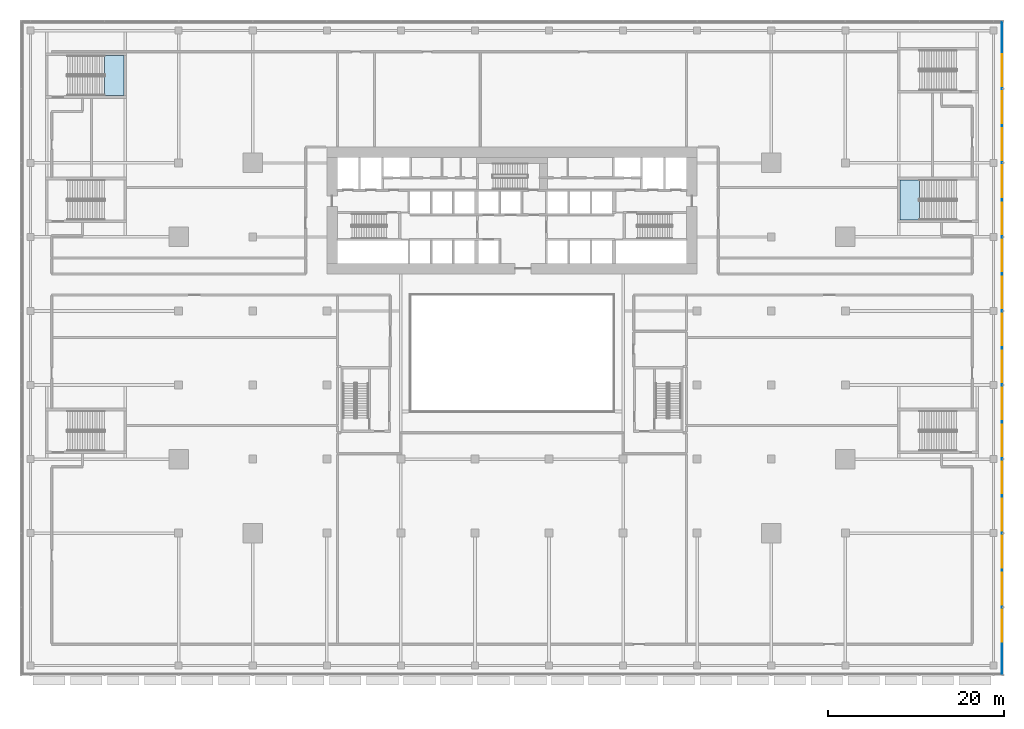
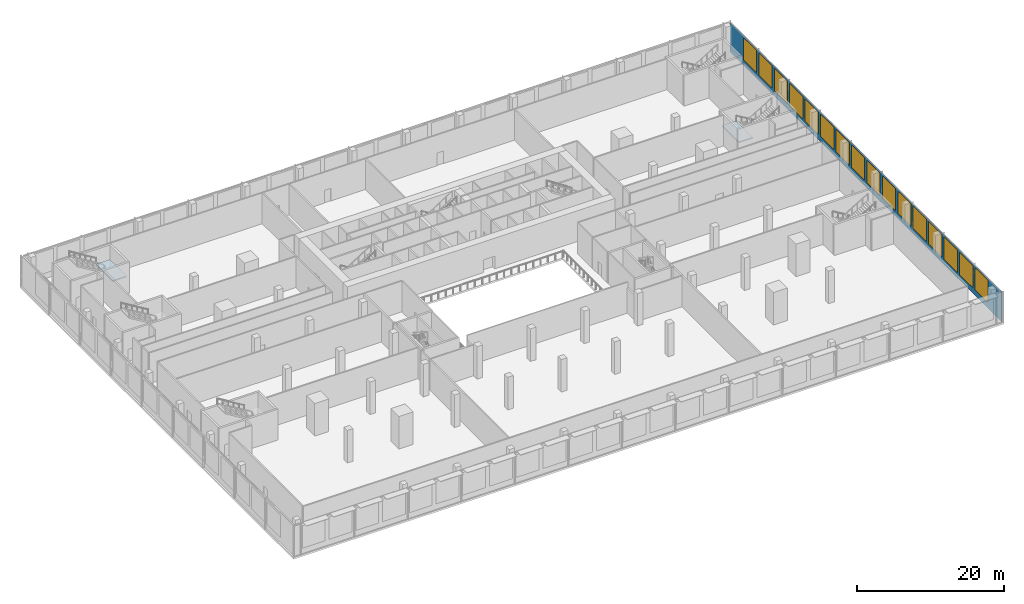
# One storey, part 24 of 39: 16 windows, 2 slabs, 1 plate, 16 openings, 3 elements without a shape of their own.
"""IFC4 building model written with IfcOpenShell, lengths in metres."""

import ifcopenshell
import ifcopenshell.guid

model = None  # the IFC model being written
_history = None  # IfcOwnerHistory: only IFC2X3 demands one
_inside = {}  # id of a spatial element -> (the spatial element, [elements in it])
_under = {}  # id of a project, library or spatial element -> (it, [spatial elements below it])
_declared = {}  # id of a project -> (the project, [libraries it declares])
_typed = {}  # id of a type object -> (the type object, [elements of that type])
_made_of = {}  # id of a material, layer set ... -> (it, [elements and type objects made of it])


def new_model(schema):
    """Start an empty IFC model of exactly this schema.

    Asked for "IFC4X3", IfcOpenShell would pick the latest addendum, in which some entities
    have other attributes; the version numbers below select the first issue.
    IFC2X3 requires an IfcOwnerHistory on every rooted entity: one is made here for all.
    """
    global model, _history
    if schema == "IFC4X3":
        model = ifcopenshell.file(schema_version=(4, 3, 0, 0))
    else:
        model = ifcopenshell.file(schema=schema)
    _inside.clear()
    _under.clear()
    _declared.clear()
    _typed.clear()
    _made_of.clear()
    _history = None
    if model.schema == "IFC2X3":
        org = make("IfcOrganization", Name="unknown")
        user = make(
            "IfcPersonAndOrganization",
            ThePerson=make("IfcPerson", FamilyName="unknown"),
            TheOrganization=org,
        )
        app = make(
            "IfcApplication",
            ApplicationDeveloper=org,
            Version="unknown",
            ApplicationFullName="unknown",
            ApplicationIdentifier="unknown",
        )
        _history = make(
            "IfcOwnerHistory",
            OwningUser=user,
            OwningApplication=app,
            ChangeAction="ADDED",
            CreationDate=0,
        )
    return model


def make(cls, **values):
    """One entity of the class cls with the attributes given. An attribute that is None is left unset."""
    return model.create_entity(
        cls, **{name: value for name, value in values.items() if value is not None}
    )


def rooted(cls, **values):
    """An entity with a GlobalId (a new one), such as an element, a storey or a relation."""
    return make(cls, GlobalId=ifcopenshell.guid.new(), OwnerHistory=_history, **values)


def si_unit(unit_type, name, prefix=None):
    """IfcSIUnit, for example si_unit("LENGTHUNIT", "METRE", prefix="MILLI")."""
    return make("IfcSIUnit", UnitType=unit_type, Prefix=prefix, Name=name)


def assignment(units):
    """IfcUnitAssignment: the units of a project."""
    return None if units is None else make("IfcUnitAssignment", Units=units)


def point(xyz):
    """IfcCartesianPoint."""
    return None if xyz is None else make("IfcCartesianPoint", Coordinates=xyz)


def direction(xyz):
    """IfcDirection."""
    return None if xyz is None else make("IfcDirection", DirectionRatios=xyz)


def frame(location, z_axis=None, x_axis=None):
    """IfcAxis2Placement3D, a coordinate frame: its origin and axes. An axis left out is left unset."""
    return make(
        "IfcAxis2Placement3D",
        Location=point(location),
        Axis=direction(z_axis),
        RefDirection=direction(x_axis),
    )


def frame_2d(location, x_axis=None):
    """IfcAxis2Placement2D, a coordinate frame in the plane: its origin and x axis."""
    return make(
        "IfcAxis2Placement2D", Location=point(location), RefDirection=direction(x_axis)
    )


def origin():
    """The frame at (0, 0, 0) with its axes left unset."""
    return frame((0.0, 0.0, 0.0))


def place(relative_to, where):
    """IfcLocalPlacement: puts the frame where relative to a parent placement (None: the world)."""
    return make(
        "IfcLocalPlacement", PlacementRelTo=relative_to, RelativePlacement=where
    )


def context(
    kind, dimensions, precision=None, world=None, true_north=None, identifier=None
):
    """IfcGeometricRepresentationContext, for example the 3D "Model" context."""
    return make(
        "IfcGeometricRepresentationContext",
        ContextIdentifier=identifier,
        ContextType=kind,
        CoordinateSpaceDimension=dimensions,
        Precision=precision,
        WorldCoordinateSystem=world,
        TrueNorth=true_north,
    )


def subcontext(parent, identifier, kind, view, scale=None):
    """IfcGeometricRepresentationSubContext, for example "Body" below "Model"."""
    return make(
        "IfcGeometricRepresentationSubContext",
        ContextIdentifier=identifier,
        ContextType=kind,
        ParentContext=parent,
        TargetScale=scale,
        TargetView=view,
    )


def project(units=None, contexts=None):
    """IfcProject with its units and contexts."""
    return rooted(
        "IfcProject",
        Name="project",
        RepresentationContexts=contexts,
        UnitsInContext=assignment(units),
    )


def spatial(cls, under=None, at=None, **own):
    """A site, building, storey or space (cls), placed at a placement, below another one or the project."""
    s = rooted(cls, ObjectPlacement=at, **own)
    if under is not None:
        _under.setdefault(under.id(), (under, []))[1].append(s)
    return s


def polyline(points):
    """IfcPolyline through the points."""
    return make("IfcPolyline", Points=[point(p) for p in points])


def profile(cls, at=None, kind="AREA", **sizes):
    """A parametric profile (cls). Its sizes go by their IFC names, for example OverallWidth=200.0."""
    return make(cls, ProfileType=kind, Position=at, **sizes)


def rectangle(**sizes):
    """IfcRectangleProfileDef."""
    return profile("IfcRectangleProfileDef", **sizes)


def outline(outer, holes=None, kind="AREA"):
    """IfcArbitraryClosedProfileDef: a profile drawn as a closed curve; with holes, ...WithVoids."""
    if holes is None:
        return make("IfcArbitraryClosedProfileDef", ProfileType=kind, OuterCurve=outer)
    return make(
        "IfcArbitraryProfileDefWithVoids",
        ProfileType=kind,
        OuterCurve=outer,
        InnerCurves=holes,
    )


def extrude(swept, where, along, depth):
    """IfcExtrudedAreaSolid: the profile swept, set in the frame where, extruded along a direction by depth."""
    return make(
        "IfcExtrudedAreaSolid",
        SweptArea=swept,
        Position=where,
        ExtrudedDirection=direction(along),
        Depth=depth,
    )


def shape(context_of_items, identifier, shape_type, items):
    """IfcShapeRepresentation: the items that make up one representation, for example the "Body"."""
    return make(
        "IfcShapeRepresentation",
        ContextOfItems=context_of_items,
        RepresentationIdentifier=identifier,
        RepresentationType=shape_type,
        Items=items,
    )


def material(Name=None, Category=None):
    """IfcMaterial."""
    return make("IfcMaterial", Name=Name, Category=Category)


def layer(
    of_material, thickness, ventilated=None, Name=None, Category=None, Priority=None
):
    """IfcMaterialLayer: one layer of a wall or slab, of a material (None: an air gap)."""
    return make(
        "IfcMaterialLayer",
        Material=of_material,
        LayerThickness=thickness,
        IsVentilated=ventilated,
        Name=Name,
        Category=Category,
        Priority=Priority,
    )


def layer_set(layers, Name=None):
    """IfcMaterialLayerSet."""
    return make("IfcMaterialLayerSet", MaterialLayers=layers, LayerSetName=Name)


def made_of(thing, what):
    """Note that an element or type object is made of a material, layer set ...; save() writes the relation."""
    if what is not None:
        _made_of.setdefault(what.id(), (what, []))[1].append(thing)
    return thing


def type_object(cls, material=None, **own):
    """A type object (cls), such as IfcWallType, which elements share."""
    return made_of(rooted(cls, **own), material)


def element(
    cls,
    number,
    at=None,
    inside=None,
    cuts=None,
    type_object=None,
    material=None,
    context=None,
    identifier="Body",
    shape_type=None,
    held_by="IfcProductDefinitionShape",
    body=None,
    shapes=None,
    **own,
):
    """One element of the class cls, such as IfcWall. Its Tag is "e" and its number.

    at: its placement. inside: the storey or other place that contains it. cuts: it is an
    opening in that element (IfcRelVoidsElement). A single representation is given by context,
    identifier, shape_type and body (its items); several are given by shapes. held_by: the class
    of the entity that holds the representations. save() writes the other relations.
    """
    e = rooted(cls, Tag="e%d" % number, ObjectPlacement=at, **own)
    if body is not None:
        shapes = [shape(context, identifier, shape_type, body)]
    if shapes is not None:
        e.Representation = make(held_by, Representations=shapes)
    if inside is not None:
        _inside.setdefault(inside.id(), (inside, []))[1].append(e)
    if cuts is not None:
        rooted(
            "IfcRelVoidsElement", RelatingBuildingElement=cuts, RelatedOpeningElement=e
        )
    if type_object is not None:
        _typed.setdefault(type_object.id(), (type_object, []))[1].append(e)
    return made_of(e, material)


def fill(opening, filler):
    """IfcRelFillsElement: the door or window that sits in an opening."""
    return rooted(
        "IfcRelFillsElement",
        RelatingOpeningElement=opening,
        RelatedBuildingElement=filler,
    )


def aggregate(whole, parts):
    """IfcRelAggregates: a whole, such as a stair, and the parts it consists of."""
    return rooted("IfcRelAggregates", RelatingObject=whole, RelatedObjects=parts)


def save(model, path):
    """Write the relations noted so far, then the file.

    IfcRelAggregates (storeys below a building ...), IfcRelContainedInSpatialStructure (elements
    in a storey), IfcRelDefinesByType, IfcRelAssociatesMaterial and IfcRelDeclares: one each for
    every whole, place, type object, material and project.
    """
    for whole, parts in _under.values():
        aggregate(whole, parts)
    for where, things in _inside.values():
        rooted(
            "IfcRelContainedInSpatialStructure",
            RelatedElements=things,
            RelatingStructure=where,
        )
    for kind, things in _typed.values():
        rooted("IfcRelDefinesByType", RelatedObjects=things, RelatingType=kind)
    for what, things in _made_of.values():
        rooted("IfcRelAssociatesMaterial", RelatedObjects=things, RelatingMaterial=what)
    for by, libraries in _declared.values():
        rooted("IfcRelDeclares", RelatingContext=by, RelatedDefinitions=libraries)
    model.write(path)


model = new_model("IFC4")

# Units and contexts
model_context = context("Model", 3, precision=1e-05, world=origin(), true_north=direction((0.0, 1.0)))
body_context = subcontext(model_context, "Body", "Model", "MODEL_VIEW")
ifc_project = project(units=[si_unit("LENGTHUNIT", "METRE"), si_unit("AREAUNIT", "SQUARE_METRE"), si_unit("VOLUMEUNIT", "CUBIC_METRE"), si_unit("PLANEANGLEUNIT", "RADIAN"), si_unit("MASSUNIT", "GRAM", prefix="KILO")], contexts=[model_context])

# Site, building, storey
site_placement = place(None, origin())
site = spatial("IfcSite", under=ifc_project, at=site_placement, CompositionType="ELEMENT")
building_placement = place(site_placement, origin())
building = spatial("IfcBuilding", under=site, at=building_placement, Name="Saffron Gate Tower", CompositionType="ELEMENT")
storey_placement = place(building_placement, frame((0.0, 0.0, 9.0)))
storey = spatial("IfcBuildingStorey", under=building, at=storey_placement, Name="L01", CompositionType="ELEMENT", Elevation=9.0)

# Curtain wall, plate, openings, windows
ifc_material_1 = material(Name="Aluminium, bronze anodised", Category="aluminium")
curtain_wall_type = type_object("IfcCurtainWallType", Name="CWS5 curtain wall podium ring base", PredefinedType="NOTDEFINED", material=ifc_material_1)
curtain_wall_placement = place(storey_placement, origin())
curtain_wall = element("IfcCurtainWall", 1, at=curtain_wall_placement, inside=storey, type_object=curtain_wall_type, Name="CWS5 run 2", PredefinedType="NOTDEFINED")
ifc_material_2 = material(Name="Clear low-iron laminated glass", Category="glass")
ifc_layer_1 = layer(ifc_material_2, 0.028076171875)
ifc_layer_set_1 = layer_set([ifc_layer_1], Name="CWS5 fixed glass")
plate_type = type_object("IfcPlateType", Name="CWS5 fixed glass", PredefinedType="CURTAIN_PANEL", material=ifc_layer_set_1)
plate_placement = place(storey_placement, frame((143.18603515625, 15.827880859375, 0.0), z_axis=(0.0, 0.0, 1.0), x_axis=(0.0, 1.0, 0.0)))
plate = element("IfcPlate", 2, at=plate_placement, type_object=plate_type, Name="CWS5 glass panel", PredefinedType="CURTAIN_PANEL", context=body_context, shape_type="SweptSolid", body=[
    extrude(rectangle(XDim=73.944091796875, YDim=0.028076171875, at=frame_2d((36.97216796875, 0.0))), origin(), (0.0, 0.0, 1.0), 4.97998046875),
])
opening_1_placement = place(plate_placement, frame((3.672119140625, 0.0, 0.89990234375)))
opening_1 = element("IfcOpeningElement", 3, at=opening_1_placement, cuts=plate, Name="Opening W6", PredefinedType="OPENING", context=body_context, shape_type="SweptSolid", body=[
    extrude(rectangle(XDim=3.60009765625, YDim=3.72998046875, at=frame_2d((1.800048828125, 1.864990234375))), frame((0.0, 0.02392578125, 0.0), z_axis=(0.0, -1.0, 0.0), x_axis=(1.0, 0.0, 0.0)), (0.0, 0.0, 1.0), 0.048095703125),
])
opening_2_placement = place(plate_placement, frame((7.8720703125, 0.0, 0.89990234375)))
opening_2 = element("IfcOpeningElement", 4, at=opening_2_placement, cuts=plate, Name="Opening W6", PredefinedType="OPENING", context=body_context, shape_type="SweptSolid", body=[
    extrude(rectangle(XDim=3.60009765625, YDim=3.72998046875, at=frame_2d((1.800048828125, 1.864990234375))), frame((0.0, 0.02392578125, 0.0), z_axis=(0.0, -1.0, 0.0), x_axis=(1.0, 0.0, 0.0)), (0.0, 0.0, 1.0), 0.048095703125),
])
opening_3_placement = place(plate_placement, frame((12.072021484375, 0.0, 0.89990234375)))
opening_3 = element("IfcOpeningElement", 5, at=opening_3_placement, cuts=plate, Name="Opening W6", PredefinedType="OPENING", context=body_context, shape_type="SweptSolid", body=[
    extrude(rectangle(XDim=3.60009765625, YDim=3.72998046875, at=frame_2d((1.800048828125, 1.864990234375))), frame((0.0, 0.02392578125, 0.0), z_axis=(0.0, -1.0, 0.0), x_axis=(1.0, 0.0, 0.0)), (0.0, 0.0, 1.0), 0.048095703125),
])
opening_4_placement = place(plate_placement, frame((16.27197265625, 0.0, 0.89990234375)))
opening_4 = element("IfcOpeningElement", 6, at=opening_4_placement, cuts=plate, Name="Opening W6", PredefinedType="OPENING", context=body_context, shape_type="SweptSolid", body=[
    extrude(rectangle(XDim=3.60009765625, YDim=3.72998046875, at=frame_2d((1.800048828125, 1.864990234375))), frame((0.0, 0.02392578125, 0.0), z_axis=(0.0, -1.0, 0.0), x_axis=(1.0, 0.0, 0.0)), (0.0, 0.0, 1.0), 0.048095703125),
])
opening_5_placement = place(plate_placement, frame((20.471923828125, 0.0, 0.89990234375)))
opening_5 = element("IfcOpeningElement", 7, at=opening_5_placement, cuts=plate, Name="Opening W6", PredefinedType="OPENING", context=body_context, shape_type="SweptSolid", body=[
    extrude(rectangle(XDim=3.60009765625, YDim=3.72998046875, at=frame_2d((1.800048828125, 1.864990234375))), frame((0.0, 0.02392578125, 0.0), z_axis=(0.0, -1.0, 0.0), x_axis=(1.0, 0.0, 0.0)), (0.0, 0.0, 1.0), 0.048095703125),
])
opening_6_placement = place(plate_placement, frame((24.672119140625, 0.0, 0.89990234375)))
opening_6 = element("IfcOpeningElement", 8, at=opening_6_placement, cuts=plate, Name="Opening W6", PredefinedType="OPENING", context=body_context, shape_type="SweptSolid", body=[
    extrude(rectangle(XDim=3.60009765625, YDim=3.72998046875, at=frame_2d((1.800048828125, 1.864990234375))), frame((0.0, 0.02392578125, 0.0), z_axis=(0.0, -1.0, 0.0), x_axis=(1.0, 0.0, 0.0)), (0.0, 0.0, 1.0), 0.048095703125),
])
opening_7_placement = place(plate_placement, frame((28.8720703125, 0.0, 0.89990234375)))
opening_7 = element("IfcOpeningElement", 9, at=opening_7_placement, cuts=plate, Name="Opening W6", PredefinedType="OPENING", context=body_context, shape_type="SweptSolid", body=[
    extrude(rectangle(XDim=3.60009765625, YDim=3.72998046875, at=frame_2d((1.800048828125, 1.864990234375))), frame((0.0, 0.02392578125, 0.0), z_axis=(0.0, -1.0, 0.0), x_axis=(1.0, 0.0, 0.0)), (0.0, 0.0, 1.0), 0.048095703125),
])
opening_8_placement = place(plate_placement, frame((33.072021484375, 0.0, 0.89990234375)))
opening_8 = element("IfcOpeningElement", 10, at=opening_8_placement, cuts=plate, Name="Opening W6", PredefinedType="OPENING", context=body_context, shape_type="SweptSolid", body=[
    extrude(rectangle(XDim=3.60009765625, YDim=3.72998046875, at=frame_2d((1.800048828125, 1.864990234375))), frame((0.0, 0.02392578125, 0.0), z_axis=(0.0, -1.0, 0.0), x_axis=(1.0, 0.0, 0.0)), (0.0, 0.0, 1.0), 0.048095703125),
])
opening_9_placement = place(plate_placement, frame((37.27197265625, 0.0, 0.89990234375)))
opening_9 = element("IfcOpeningElement", 11, at=opening_9_placement, cuts=plate, Name="Opening W6", PredefinedType="OPENING", context=body_context, shape_type="SweptSolid", body=[
    extrude(rectangle(XDim=3.60009765625, YDim=3.72998046875, at=frame_2d((1.800048828125, 1.864990234375))), frame((0.0, 0.02392578125, 0.0), z_axis=(0.0, -1.0, 0.0), x_axis=(1.0, 0.0, 0.0)), (0.0, 0.0, 1.0), 0.048095703125),
])
opening_10_placement = place(plate_placement, frame((41.471923828125, 0.0, 0.89990234375)))
opening_10 = element("IfcOpeningElement", 12, at=opening_10_placement, cuts=plate, Name="Opening W6", PredefinedType="OPENING", context=body_context, shape_type="SweptSolid", body=[
    extrude(rectangle(XDim=3.60009765625, YDim=3.72998046875, at=frame_2d((1.800048828125, 1.864990234375))), frame((0.0, 0.02392578125, 0.0), z_axis=(0.0, -1.0, 0.0), x_axis=(1.0, 0.0, 0.0)), (0.0, 0.0, 1.0), 0.048095703125),
])
opening_11_placement = place(plate_placement, frame((45.672119140625, 0.0, 0.89990234375)))
opening_11 = element("IfcOpeningElement", 13, at=opening_11_placement, cuts=plate, Name="Opening W6", PredefinedType="OPENING", context=body_context, shape_type="SweptSolid", body=[
    extrude(rectangle(XDim=3.60009765625, YDim=3.72998046875, at=frame_2d((1.800048828125, 1.864990234375))), frame((0.0, 0.02392578125, 0.0), z_axis=(0.0, -1.0, 0.0), x_axis=(1.0, 0.0, 0.0)), (0.0, 0.0, 1.0), 0.048095703125),
])
opening_12_placement = place(plate_placement, frame((49.8720703125, 0.0, 0.89990234375)))
opening_12 = element("IfcOpeningElement", 14, at=opening_12_placement, cuts=plate, Name="Opening W6", PredefinedType="OPENING", context=body_context, shape_type="SweptSolid", body=[
    extrude(rectangle(XDim=3.60009765625, YDim=3.72998046875, at=frame_2d((1.800048828125, 1.864990234375))), frame((0.0, 0.02392578125, 0.0), z_axis=(0.0, -1.0, 0.0), x_axis=(1.0, 0.0, 0.0)), (0.0, 0.0, 1.0), 0.048095703125),
])
opening_13_placement = place(plate_placement, frame((54.072021484375, 0.0, 0.89990234375)))
opening_13 = element("IfcOpeningElement", 15, at=opening_13_placement, cuts=plate, Name="Opening W6", PredefinedType="OPENING", context=body_context, shape_type="SweptSolid", body=[
    extrude(rectangle(XDim=3.60009765625, YDim=3.72998046875, at=frame_2d((1.800048828125, 1.864990234375))), frame((0.0, 0.02392578125, 0.0), z_axis=(0.0, -1.0, 0.0), x_axis=(1.0, 0.0, 0.0)), (0.0, 0.0, 1.0), 0.048095703125),
])
opening_14_placement = place(plate_placement, frame((58.27197265625, 0.0, 0.89990234375)))
opening_14 = element("IfcOpeningElement", 16, at=opening_14_placement, cuts=plate, Name="Opening W6", PredefinedType="OPENING", context=body_context, shape_type="SweptSolid", body=[
    extrude(rectangle(XDim=3.60009765625, YDim=3.72998046875, at=frame_2d((1.800048828125, 1.864990234375))), frame((0.0, 0.02392578125, 0.0), z_axis=(0.0, -1.0, 0.0), x_axis=(1.0, 0.0, 0.0)), (0.0, 0.0, 1.0), 0.048095703125),
])
opening_15_placement = place(plate_placement, frame((62.471923828125, 0.0, 0.89990234375)))
opening_15 = element("IfcOpeningElement", 17, at=opening_15_placement, cuts=plate, Name="Opening W6", PredefinedType="OPENING", context=body_context, shape_type="SweptSolid", body=[
    extrude(rectangle(XDim=3.60009765625, YDim=3.72998046875, at=frame_2d((1.800048828125, 1.864990234375))), frame((0.0, 0.02392578125, 0.0), z_axis=(0.0, -1.0, 0.0), x_axis=(1.0, 0.0, 0.0)), (0.0, 0.0, 1.0), 0.048095703125),
])
opening_16_placement = place(plate_placement, frame((66.672119140625, 0.0, 0.89990234375)))
opening_16 = element("IfcOpeningElement", 18, at=opening_16_placement, cuts=plate, Name="Opening W6", PredefinedType="OPENING", context=body_context, shape_type="SweptSolid", body=[
    extrude(rectangle(XDim=3.60009765625, YDim=3.72998046875, at=frame_2d((1.800048828125, 1.864990234375))), frame((0.0, 0.02392578125, 0.0), z_axis=(0.0, -1.0, 0.0), x_axis=(1.0, 0.0, 0.0)), (0.0, 0.0, 1.0), 0.048095703125),
])
ifc_material_3 = material(Name="Fritted bronze-tinted laminated glass in bronze frame", Category="glass")
ifc_layer_2 = layer(ifc_material_3, 0.06005859375)
ifc_layer_set_2 = layer_set([ifc_layer_2], Name="W6 operable panel 3600x3730")
window_type = type_object("IfcWindowType", Name="W6 operable panel 3600x3730", PartitioningType="DOUBLE_PANEL_HORIZONTAL", PredefinedType="WINDOW", material=ifc_layer_set_2)
window_1_placement = place(opening_1_placement, origin())
window_1 = element("IfcWindow", 19, at=window_1_placement, type_object=window_type, Name="W6 operable panel", OverallHeight=3.72998046875, OverallWidth=3.60009765625, PartitioningType="SINGLE_PANEL", PredefinedType="WINDOW", context=body_context, shape_type="SweptSolid", body=[
    extrude(rectangle(XDim=3.60009765625, YDim=3.72998046875, at=frame_2d((1.800048828125, 1.864990234375))), frame((0.0, 0.013671875, 0.0), z_axis=(0.0, -1.0, 0.0), x_axis=(1.0, 0.0, 0.0)), (0.0, 0.0, 1.0), 0.027587890625),
])
fill(opening_1, window_1)
window_2_placement = place(opening_2_placement, origin())
window_2 = element("IfcWindow", 20, at=window_2_placement, type_object=window_type, Name="W6 operable panel", OverallHeight=3.72998046875, OverallWidth=3.60009765625, PartitioningType="SINGLE_PANEL", PredefinedType="WINDOW", context=body_context, shape_type="SweptSolid", body=[
    extrude(rectangle(XDim=3.60009765625, YDim=3.72998046875, at=frame_2d((1.800048828125, 1.864990234375))), frame((0.0, 0.013671875, 0.0), z_axis=(0.0, -1.0, 0.0), x_axis=(1.0, 0.0, 0.0)), (0.0, 0.0, 1.0), 0.027587890625),
])
fill(opening_2, window_2)
window_3_placement = place(opening_3_placement, origin())
window_3 = element("IfcWindow", 21, at=window_3_placement, type_object=window_type, Name="W6 operable panel", OverallHeight=3.72998046875, OverallWidth=3.60009765625, PartitioningType="SINGLE_PANEL", PredefinedType="WINDOW", context=body_context, shape_type="SweptSolid", body=[
    extrude(rectangle(XDim=3.60009765625, YDim=3.72998046875, at=frame_2d((1.800048828125, 1.864990234375))), frame((0.0, 0.013671875, 0.0), z_axis=(0.0, -1.0, 0.0), x_axis=(1.0, 0.0, 0.0)), (0.0, 0.0, 1.0), 0.027587890625),
])
fill(opening_3, window_3)
window_4_placement = place(opening_4_placement, origin())
window_4 = element("IfcWindow", 22, at=window_4_placement, type_object=window_type, Name="W6 operable panel", OverallHeight=3.72998046875, OverallWidth=3.60009765625, PartitioningType="SINGLE_PANEL", PredefinedType="WINDOW", context=body_context, shape_type="SweptSolid", body=[
    extrude(rectangle(XDim=3.60009765625, YDim=3.72998046875, at=frame_2d((1.800048828125, 1.864990234375))), frame((0.0, 0.013671875, 0.0), z_axis=(0.0, -1.0, 0.0), x_axis=(1.0, 0.0, 0.0)), (0.0, 0.0, 1.0), 0.027587890625),
])
fill(opening_4, window_4)
window_5_placement = place(opening_5_placement, origin())
window_5 = element("IfcWindow", 23, at=window_5_placement, type_object=window_type, Name="W6 operable panel", OverallHeight=3.72998046875, OverallWidth=3.60009765625, PartitioningType="SINGLE_PANEL", PredefinedType="WINDOW", context=body_context, shape_type="SweptSolid", body=[
    extrude(rectangle(XDim=3.60009765625, YDim=3.72998046875, at=frame_2d((1.800048828125, 1.864990234375))), frame((0.0, 0.013671875, 0.0), z_axis=(0.0, -1.0, 0.0), x_axis=(1.0, 0.0, 0.0)), (0.0, 0.0, 1.0), 0.027587890625),
])
fill(opening_5, window_5)
window_6_placement = place(opening_6_placement, origin())
window_6 = element("IfcWindow", 24, at=window_6_placement, type_object=window_type, Name="W6 operable panel", OverallHeight=3.72998046875, OverallWidth=3.60009765625, PartitioningType="SINGLE_PANEL", PredefinedType="WINDOW", context=body_context, shape_type="SweptSolid", body=[
    extrude(rectangle(XDim=3.60009765625, YDim=3.72998046875, at=frame_2d((1.800048828125, 1.864990234375))), frame((0.0, 0.013671875, 0.0), z_axis=(0.0, -1.0, 0.0), x_axis=(1.0, 0.0, 0.0)), (0.0, 0.0, 1.0), 0.027587890625),
])
fill(opening_6, window_6)
window_7_placement = place(opening_7_placement, origin())
window_7 = element("IfcWindow", 25, at=window_7_placement, type_object=window_type, Name="W6 operable panel", OverallHeight=3.72998046875, OverallWidth=3.60009765625, PartitioningType="SINGLE_PANEL", PredefinedType="WINDOW", context=body_context, shape_type="SweptSolid", body=[
    extrude(rectangle(XDim=3.60009765625, YDim=3.72998046875, at=frame_2d((1.800048828125, 1.864990234375))), frame((0.0, 0.013671875, 0.0), z_axis=(0.0, -1.0, 0.0), x_axis=(1.0, 0.0, 0.0)), (0.0, 0.0, 1.0), 0.027587890625),
])
fill(opening_7, window_7)
window_8_placement = place(opening_8_placement, origin())
window_8 = element("IfcWindow", 26, at=window_8_placement, type_object=window_type, Name="W6 operable panel", OverallHeight=3.72998046875, OverallWidth=3.60009765625, PartitioningType="SINGLE_PANEL", PredefinedType="WINDOW", context=body_context, shape_type="SweptSolid", body=[
    extrude(rectangle(XDim=3.60009765625, YDim=3.72998046875, at=frame_2d((1.800048828125, 1.864990234375))), frame((0.0, 0.013671875, 0.0), z_axis=(0.0, -1.0, 0.0), x_axis=(1.0, 0.0, 0.0)), (0.0, 0.0, 1.0), 0.027587890625),
])
fill(opening_8, window_8)
window_9_placement = place(opening_9_placement, origin())
window_9 = element("IfcWindow", 27, at=window_9_placement, type_object=window_type, Name="W6 operable panel", OverallHeight=3.72998046875, OverallWidth=3.60009765625, PartitioningType="SINGLE_PANEL", PredefinedType="WINDOW", context=body_context, shape_type="SweptSolid", body=[
    extrude(rectangle(XDim=3.60009765625, YDim=3.72998046875, at=frame_2d((1.800048828125, 1.864990234375))), frame((0.0, 0.013671875, 0.0), z_axis=(0.0, -1.0, 0.0), x_axis=(1.0, 0.0, 0.0)), (0.0, 0.0, 1.0), 0.027587890625),
])
fill(opening_9, window_9)
window_10_placement = place(opening_10_placement, origin())
window_10 = element("IfcWindow", 28, at=window_10_placement, type_object=window_type, Name="W6 operable panel", OverallHeight=3.72998046875, OverallWidth=3.60009765625, PartitioningType="SINGLE_PANEL", PredefinedType="WINDOW", context=body_context, shape_type="SweptSolid", body=[
    extrude(rectangle(XDim=3.60009765625, YDim=3.72998046875, at=frame_2d((1.800048828125, 1.864990234375))), frame((0.0, 0.013671875, 0.0), z_axis=(0.0, -1.0, 0.0), x_axis=(1.0, 0.0, 0.0)), (0.0, 0.0, 1.0), 0.027587890625),
])
fill(opening_10, window_10)
window_11_placement = place(opening_11_placement, origin())
window_11 = element("IfcWindow", 29, at=window_11_placement, type_object=window_type, Name="W6 operable panel", OverallHeight=3.72998046875, OverallWidth=3.60009765625, PartitioningType="SINGLE_PANEL", PredefinedType="WINDOW", context=body_context, shape_type="SweptSolid", body=[
    extrude(rectangle(XDim=3.60009765625, YDim=3.72998046875, at=frame_2d((1.800048828125, 1.864990234375))), frame((0.0, 0.013671875, 0.0), z_axis=(0.0, -1.0, 0.0), x_axis=(1.0, 0.0, 0.0)), (0.0, 0.0, 1.0), 0.027587890625),
])
fill(opening_11, window_11)
window_12_placement = place(opening_12_placement, origin())
window_12 = element("IfcWindow", 30, at=window_12_placement, type_object=window_type, Name="W6 operable panel", OverallHeight=3.72998046875, OverallWidth=3.60009765625, PartitioningType="SINGLE_PANEL", PredefinedType="WINDOW", context=body_context, shape_type="SweptSolid", body=[
    extrude(rectangle(XDim=3.60009765625, YDim=3.72998046875, at=frame_2d((1.800048828125, 1.864990234375))), frame((0.0, 0.013671875, 0.0), z_axis=(0.0, -1.0, 0.0), x_axis=(1.0, 0.0, 0.0)), (0.0, 0.0, 1.0), 0.027587890625),
])
fill(opening_12, window_12)
window_13_placement = place(opening_13_placement, origin())
window_13 = element("IfcWindow", 31, at=window_13_placement, type_object=window_type, Name="W6 operable panel", OverallHeight=3.72998046875, OverallWidth=3.60009765625, PartitioningType="SINGLE_PANEL", PredefinedType="WINDOW", context=body_context, shape_type="SweptSolid", body=[
    extrude(rectangle(XDim=3.60009765625, YDim=3.72998046875, at=frame_2d((1.800048828125, 1.864990234375))), frame((0.0, 0.013671875, 0.0), z_axis=(0.0, -1.0, 0.0), x_axis=(1.0, 0.0, 0.0)), (0.0, 0.0, 1.0), 0.027587890625),
])
fill(opening_13, window_13)
window_14_placement = place(opening_14_placement, origin())
window_14 = element("IfcWindow", 32, at=window_14_placement, type_object=window_type, Name="W6 operable panel", OverallHeight=3.72998046875, OverallWidth=3.60009765625, PartitioningType="SINGLE_PANEL", PredefinedType="WINDOW", context=body_context, shape_type="SweptSolid", body=[
    extrude(rectangle(XDim=3.60009765625, YDim=3.72998046875, at=frame_2d((1.800048828125, 1.864990234375))), frame((0.0, 0.013671875, 0.0), z_axis=(0.0, -1.0, 0.0), x_axis=(1.0, 0.0, 0.0)), (0.0, 0.0, 1.0), 0.027587890625),
])
fill(opening_14, window_14)
window_15_placement = place(opening_15_placement, origin())
window_15 = element("IfcWindow", 33, at=window_15_placement, type_object=window_type, Name="W6 operable panel", OverallHeight=3.72998046875, OverallWidth=3.60009765625, PartitioningType="SINGLE_PANEL", PredefinedType="WINDOW", context=body_context, shape_type="SweptSolid", body=[
    extrude(rectangle(XDim=3.60009765625, YDim=3.72998046875, at=frame_2d((1.800048828125, 1.864990234375))), frame((0.0, 0.013671875, 0.0), z_axis=(0.0, -1.0, 0.0), x_axis=(1.0, 0.0, 0.0)), (0.0, 0.0, 1.0), 0.027587890625),
])
fill(opening_15, window_15)
window_16_placement = place(opening_16_placement, origin())
window_16 = element("IfcWindow", 34, at=window_16_placement, type_object=window_type, Name="W6 operable panel", OverallHeight=3.72998046875, OverallWidth=3.60009765625, PartitioningType="SINGLE_PANEL", PredefinedType="WINDOW", context=body_context, shape_type="SweptSolid", body=[
    extrude(rectangle(XDim=3.60009765625, YDim=3.72998046875, at=frame_2d((1.800048828125, 1.864990234375))), frame((0.0, 0.013671875, 0.0), z_axis=(0.0, -1.0, 0.0), x_axis=(1.0, 0.0, 0.0)), (0.0, 0.0, 1.0), 0.027587890625),
])
fill(opening_16, window_16)
aggregate(curtain_wall, [plate, window_1, window_2, window_3, window_4, window_5, window_6, window_7, window_8, window_9, window_10, window_11, window_12, window_13, window_14, window_15, window_16])

# Stair, slab
ifc_material_4 = material(Name="Concrete C40", Category="concrete")
stair_type = type_object("IfcStairType", Name="ST10 Stair 2200 wide, 32 risers of 169", PredefinedType="HALF_TURN_STAIR", material=ifc_material_4)
stair_1_placement = place(storey_placement, origin())
stair_1 = element("IfcStair", 35, at=stair_1_placement, inside=storey, type_object=stair_type, Name="L01 Exit stair F", PredefinedType="HALF_TURN_STAIR")
ifc_layer_3 = layer(ifc_material_4, 0.199951171875)
ifc_layer_set_3 = layer_set([ifc_layer_3], Name="SL1 Stair landing 200")
slab_type = type_object("IfcSlabType", Name="SL1 Stair landing 200", PredefinedType="LANDING", material=ifc_layer_set_3)
slab_1_placement = place(storey_placement, frame((0.0, 0.0, 2.5)))
slab_1 = element("IfcSlab", 36, at=slab_1_placement, type_object=slab_type, Name="ST-F landing 1", PredefinedType="LANDING", context=body_context, shape_type="SweptSolid", body=[
    extrude(outline(polyline([(41.39990234375, 81.425048828125), (43.60009765625, 81.425048828125), (43.60009765625, 85.97509765625), (41.39990234375, 85.97509765625), (41.39990234375, 81.425048828125)])), origin(), (0.0, 0.0, 1.0), 0.199951171875),
])
aggregate(stair_1, [slab_1])

stair_2_placement = place(storey_placement, origin())
stair_2 = element("IfcStair", 37, at=stair_2_placement, inside=storey, type_object=stair_type, Name="L01 Exit stair J", PredefinedType="HALF_TURN_STAIR")
slab_2_placement = place(storey_placement, frame((0.0, 0.0, 2.5)))
slab_2 = element("IfcSlab", 38, at=slab_2_placement, type_object=slab_type, Name="ST-J landing 1", PredefinedType="LANDING", context=body_context, shape_type="SweptSolid", body=[
    extrude(outline(polyline([(133.800048828125, 71.875), (131.60009765625, 71.875), (131.60009765625, 67.324951171875), (133.800048828125, 67.324951171875), (133.800048828125, 71.875)])), origin(), (0.0, 0.0, 1.0), 0.199951171875),
])
aggregate(stair_2, [slab_2])

save(model, "model.ifc")
